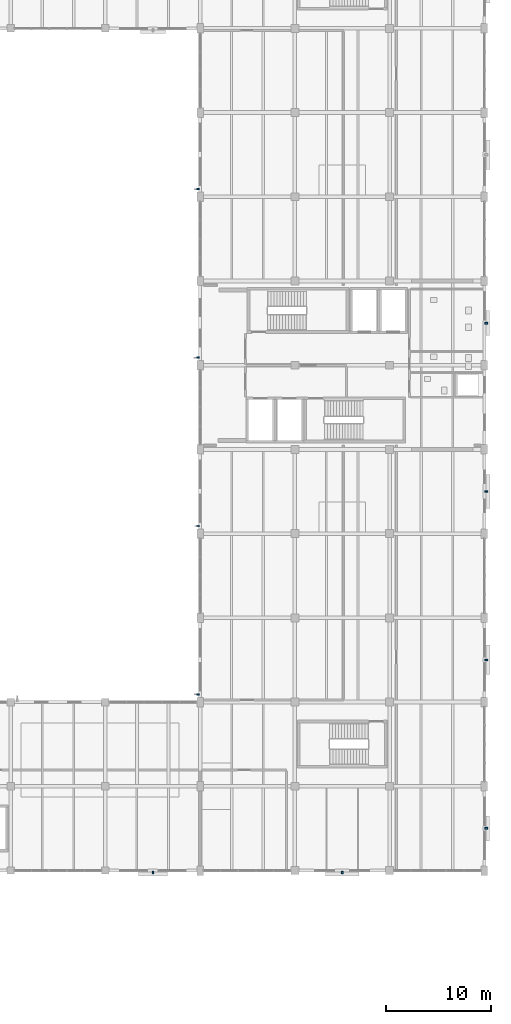
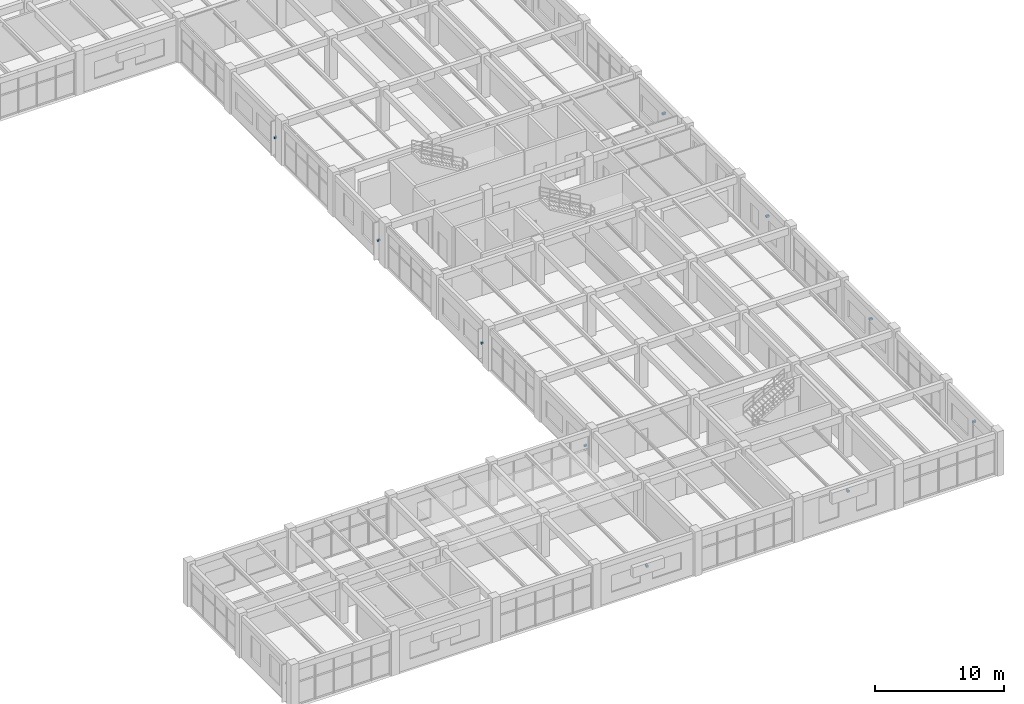
# One storey, part 119 of 128: 10 discrete accessories.
"""IFC4 building model written with IfcOpenShell, lengths in metres."""

from ifc_helpers import new_model, si_unit, derived_unit, direction, frame, origin, origin_2d, place, context, subcontext, project, spatial, rectangle, extrude, material, type_object, element, save


model = new_model("IFC4")

# Units and contexts
model_context = context("Model", 3, precision=1e-05, world=origin(), true_north=direction((0.0, 1.0)))
body_context = subcontext(model_context, "Body", "Model", "MODEL_VIEW")
ifc_project = project(units=[si_unit("LENGTHUNIT", "METRE"), si_unit("AREAUNIT", "SQUARE_METRE"), si_unit("VOLUMEUNIT", "CUBIC_METRE"), si_unit("PLANEANGLEUNIT", "RADIAN"), si_unit("MASSUNIT", "GRAM", prefix="KILO"), derived_unit("THERMALTRANSMITTANCEUNIT", [(si_unit("MASSUNIT", "GRAM", prefix="KILO"), 1), (si_unit("TIMEUNIT", "SECOND"), -3), (si_unit("THERMODYNAMICTEMPERATUREUNIT", "KELVIN"), -1)])], contexts=[model_context])

# Site, building, storey
site_placement = place(None, origin())
site = spatial("IfcSite", under=ifc_project, at=site_placement, CompositionType="ELEMENT")
building_placement = place(site_placement, origin())
building = spatial("IfcBuilding", under=site, at=building_placement, Name="Zhenchuan Archway Interchange", CompositionType="ELEMENT")
storey_placement = place(building_placement, frame((0.0, 0.0, 14.39990234375)))
storey = spatial("IfcBuildingStorey", under=building, at=storey_placement, Name="L03", CompositionType="ELEMENT", Elevation=14.39990234375)

# Discrete accessories
ifc_material = material(Name="Stainless Steel 316", Category="steel")
discrete_accessory_type_1 = type_object("IfcDiscreteAccessoryType", Name="BRK_SHD_1", PredefinedType="BRACKET", material=ifc_material)
for number, where, z_axis, x_axis, name in (
    (1, (143.81005859375, 24.72802734375, 1.88037109375), (0.0, 0.0, 1.0), (0.0, 1.0, 0.0), "Solar fin stainless fixing bracket L03-105"),
    (2, (143.81005859375, 40.72802734375, 1.88037109375), (0.0, 0.0, 1.0), (0.0, 1.0, 0.0), "Solar fin stainless fixing bracket L03-106"),
    (3, (143.81005859375, 56.72802734375, 1.88037109375), (0.0, 0.0, 1.0), (0.0, 1.0, 0.0), "Solar fin stainless fixing bracket L03-107"),
    (4, (143.81005859375, 72.72802734375, 1.88037109375), (0.0, 0.0, 1.0), (0.0, 1.0, 0.0), "Solar fin stainless fixing bracket L03-108"),
):
    element("IfcDiscreteAccessory", number, at=place(storey_placement, frame(where, z_axis=z_axis, x_axis=x_axis)), inside=storey, type_object=discrete_accessory_type_1, Name=name, PredefinedType="BRACKET", context=body_context, shape_type="SweptSolid", body=[
        extrude(rectangle(XDim=0.159912109375, YDim=0.239990234375, at=origin_2d()), origin(), (0.0, 0.0, 1.0), 0.159912109375),
    ])
discrete_accessory_type_2 = type_object("IfcDiscreteAccessoryType", Name="BRK_SHD_2", PredefinedType="BRACKET", material=ifc_material)
for number, where, z_axis, x_axis, name in (
    (5, (171.18994140625, 60.0, 2.26025390625), (0.0, 0.0, 1.0), (0.0, -1.0, 0.0), "Storm-louvre stainless fixing bracket L03-118"),
    (6, (171.18994140625, 44.0, 2.26025390625), (0.0, 0.0, 1.0), (0.0, -1.0, 0.0), "Storm-louvre stainless fixing bracket L03-119"),
    (7, (171.18994140625, 28.0, 2.26025390625), (0.0, 0.0, 1.0), (0.0, -1.0, 0.0), "Storm-louvre stainless fixing bracket L03-120"),
    (8, (171.18994140625, 12.0, 2.26025390625), (0.0, 0.0, 1.0), (0.0, -1.0, 0.0), "Storm-louvre stainless fixing bracket L03-121"),
    (9, (157.5, 7.81005859375, 3.06005859375), (0.0, 0.0, 1.0), (-1.0, 0.0, 0.0), "Storm-louvre stainless fixing bracket L03-122"),
    (10, (139.52490234375, 7.81005859375, 2.26025390625), (0.0, 0.0, 1.0), (-1.0, 0.0, 0.0), "Storm-louvre stainless fixing bracket L03-123"),
):
    element("IfcDiscreteAccessory", number, at=place(storey_placement, frame(where, z_axis=z_axis, x_axis=x_axis)), inside=storey, type_object=discrete_accessory_type_2, Name=name, PredefinedType="BRACKET", context=body_context, shape_type="SweptSolid", body=[
        extrude(rectangle(XDim=0.179931640625, YDim=0.280029296875, at=origin_2d()), origin(), (0.0, 0.0, 1.0), 0.179931640625),
    ])

save(model, "model.ifc")
